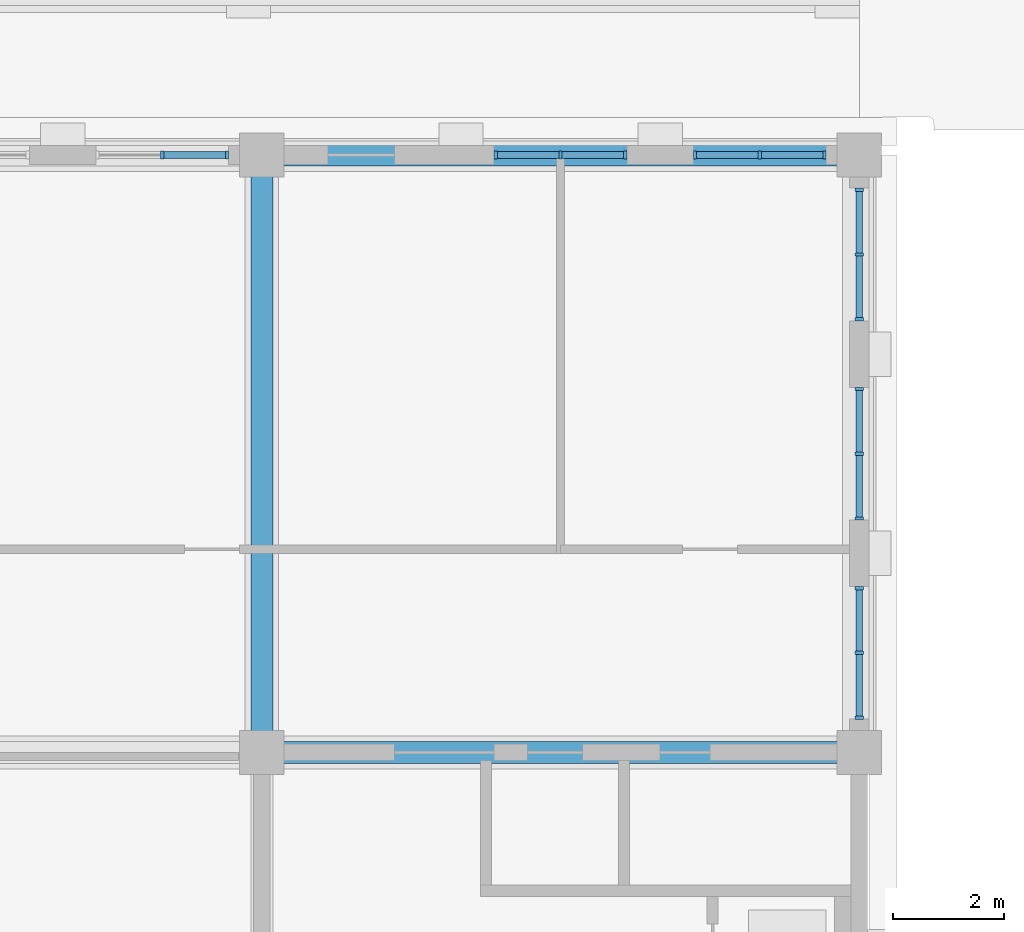
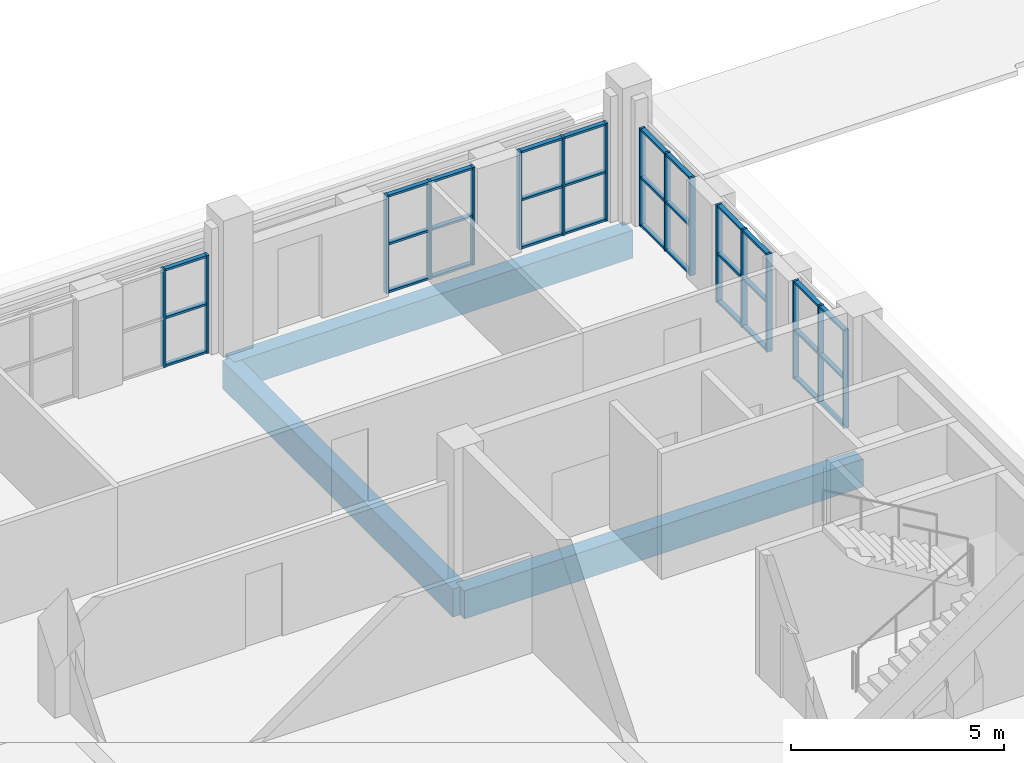
# One storey, part 33 of 95: 50 members, 3 beams, 6 elements without a shape of their own.
"""IFC4 building model written with IfcOpenShell, lengths in metres."""

from ifc_helpers import new_model, si_unit, direction, frame, origin, origin_2d, place, context, subcontext, project, spatial, rectangle, extrude, material, layer, layer_set, material_profile, profile_set, type_object, element, aggregate, save


model = new_model("IFC4")

# Units and contexts
model_context = context("Model", 3, precision=1e-05, world=origin(), true_north=direction((0.0, 1.0)))
body_context = subcontext(model_context, "Body", "Model", "MODEL_VIEW")
ifc_project = project(units=[si_unit("LENGTHUNIT", "METRE"), si_unit("AREAUNIT", "SQUARE_METRE"), si_unit("VOLUMEUNIT", "CUBIC_METRE"), si_unit("PLANEANGLEUNIT", "RADIAN"), si_unit("MASSUNIT", "GRAM", prefix="KILO")], contexts=[model_context])

# Site, building, storey
site_placement = place(None, origin())
site = spatial("IfcSite", under=ifc_project, at=site_placement, CompositionType="ELEMENT")
building_placement = place(site_placement, origin())
building = spatial("IfcBuilding", under=site, at=building_placement, Name="Magnolia Steps Interchange", CompositionType="ELEMENT")
storey_placement = place(building_placement, frame((0.0, 0.0, 4.800048828125)))
storey = spatial("IfcBuildingStorey", under=building, at=storey_placement, Name="L01", CompositionType="ELEMENT", Elevation=4.800048828125)

# Curtain wall, members
ifc_material_1 = material(Name="Powder-coated aluminium and glass", Category="aluminium")
ifc_layer = layer(ifc_material_1, 0.179931640625)
ifc_layer_set = layer_set([ifc_layer], Name="Lobby shopfront curtain wall")
curtain_wall_type = type_object("IfcCurtainWallType", Name="Lobby shopfront curtain wall", PredefinedType="NOTDEFINED", material=ifc_layer_set)
curtain_wall_1_placement = place(storey_placement, origin())
curtain_wall_1 = element("IfcCurtainWall", 1, at=curtain_wall_1_placement, inside=storey, type_object=curtain_wall_type, Name="Operations lobby north glazing 22", PredefinedType="NOTDEFINED")
ifc_material_2 = material(Name="White powder-coated aluminium", Category="aluminium")
ifc_material_profile_1 = material_profile(ifc_material_2, rectangle(XDim=0.06005859375, YDim=0.14990234375, at=origin_2d()), Name="Aluminium mullion 60 x 150")
ifc_profile_set_1 = profile_set([ifc_material_profile_1], Name="White powder-coated aluminium")
member_type_1 = type_object("IfcMemberType", Name="Aluminium mullion 60 x 150", PredefinedType="MULLION", material=ifc_profile_set_1)
member_1_placement = place(storey_placement, frame((105.39990234375, 118.0, 0.0), z_axis=(0.0, 0.0, 1.0), x_axis=(1.0, 0.0, 0.0)))
member_1 = element("IfcMember", 2, at=member_1_placement, type_object=member_type_1, Name="CW5 mullion 2", PredefinedType="MULLION", context=body_context, shape_type="SweptSolid", body=[
    extrude(rectangle(XDim=0.06005859375, YDim=0.14990234375, at=origin_2d()), origin(), (0.0, 0.0, 1.0), 2.800048828125),
])
member_2_placement = place(storey_placement, frame((106.570068359375, 118.0, 0.0), z_axis=(0.0, 0.0, 1.0), x_axis=(1.0, 0.0, 0.0)))
member_2 = element("IfcMember", 3, at=member_2_placement, type_object=member_type_1, Name="CW5 mullion 3", PredefinedType="MULLION", context=body_context, shape_type="SweptSolid", body=[
    extrude(rectangle(XDim=0.06005859375, YDim=0.14990234375, at=origin_2d()), origin(), (0.0, 0.0, 1.0), 2.800048828125),
])

curtain_wall_2_placement = place(storey_placement, origin())
curtain_wall_2 = element("IfcCurtainWall", 4, at=curtain_wall_2_placement, inside=storey, type_object=curtain_wall_type, Name="Operations lobby north glazing 24", PredefinedType="NOTDEFINED")
member_3_placement = place(storey_placement, frame((111.429931640625, 118.0, 0.0), z_axis=(0.0, 0.0, 1.0), x_axis=(1.0, 0.0, 0.0)))
member_3 = element("IfcMember", 5, at=member_3_placement, type_object=member_type_1, Name="CW5 mullion 1", PredefinedType="MULLION", context=body_context, shape_type="SweptSolid", body=[
    extrude(rectangle(XDim=0.06005859375, YDim=0.14990234375, at=origin_2d()), origin(), (0.0, 0.0, 1.0), 2.800048828125),
])
member_4_placement = place(storey_placement, frame((112.60009765625, 118.0, 0.0), z_axis=(0.0, 0.0, 1.0), x_axis=(1.0, 0.0, 0.0)))
member_4 = element("IfcMember", 6, at=member_4_placement, type_object=member_type_1, Name="CW5 mullion 2", PredefinedType="MULLION", context=body_context, shape_type="SweptSolid", body=[
    extrude(rectangle(XDim=0.06005859375, YDim=0.14990234375, at=origin_2d()), origin(), (0.0, 0.0, 1.0), 2.800048828125),
])
member_5_placement = place(storey_placement, frame((113.77001953125, 118.0, 0.0), z_axis=(0.0, 0.0, 1.0), x_axis=(1.0, 0.0, 0.0)))
member_5 = element("IfcMember", 7, at=member_5_placement, type_object=member_type_1, Name="CW5 mullion 3", PredefinedType="MULLION", context=body_context, shape_type="SweptSolid", body=[
    extrude(rectangle(XDim=0.06005859375, YDim=0.14990234375, at=origin_2d()), origin(), (0.0, 0.0, 1.0), 2.800048828125),
])

curtain_wall_3_placement = place(storey_placement, origin())
curtain_wall_3 = element("IfcCurtainWall", 8, at=curtain_wall_3_placement, inside=storey, type_object=curtain_wall_type, Name="Operations lobby north glazing 26", PredefinedType="NOTDEFINED")
member_6_placement = place(storey_placement, frame((115.030029296875, 118.0, 0.0), z_axis=(0.0, 0.0, 1.0), x_axis=(1.0, 0.0, 0.0)))
member_6 = element("IfcMember", 9, at=member_6_placement, type_object=member_type_1, Name="CW5 mullion 1", PredefinedType="MULLION", context=body_context, shape_type="SweptSolid", body=[
    extrude(rectangle(XDim=0.06005859375, YDim=0.14990234375, at=origin_2d()), origin(), (0.0, 0.0, 1.0), 2.800048828125),
])
member_7_placement = place(storey_placement, frame((116.199951171875, 118.0, 0.0), z_axis=(0.0, 0.0, 1.0), x_axis=(1.0, 0.0, 0.0)))
member_7 = element("IfcMember", 10, at=member_7_placement, type_object=member_type_1, Name="CW5 mullion 2", PredefinedType="MULLION", context=body_context, shape_type="SweptSolid", body=[
    extrude(rectangle(XDim=0.06005859375, YDim=0.14990234375, at=origin_2d()), origin(), (0.0, 0.0, 1.0), 2.800048828125),
])
member_8_placement = place(storey_placement, frame((117.3701171875, 118.0, 0.0), z_axis=(0.0, 0.0, 1.0), x_axis=(1.0, 0.0, 0.0)))
member_8 = element("IfcMember", 11, at=member_8_placement, type_object=member_type_1, Name="CW5 mullion 3", PredefinedType="MULLION", context=body_context, shape_type="SweptSolid", body=[
    extrude(rectangle(XDim=0.06005859375, YDim=0.14990234375, at=origin_2d()), origin(), (0.0, 0.0, 1.0), 2.800048828125),
])

curtain_wall_4_placement = place(storey_placement, origin())
curtain_wall_4 = element("IfcCurtainWall", 12, at=curtain_wall_4_placement, inside=storey, type_object=curtain_wall_type, Name="Operations lobby east glazing 2", PredefinedType="NOTDEFINED")
member_9_placement = place(storey_placement, frame((118.0, 107.830078125, 0.0), z_axis=(0.0, 0.0, 1.0), x_axis=(0.0, 1.0, 0.0)))
member_9 = element("IfcMember", 13, at=member_9_placement, type_object=member_type_1, Name="CW5 mullion 1", PredefinedType="MULLION", context=body_context, shape_type="SweptSolid", body=[
    extrude(rectangle(XDim=0.06005859375, YDim=0.14990234375, at=origin_2d()), origin(), (0.0, 0.0, 1.0), 2.800048828125),
])
member_10_placement = place(storey_placement, frame((118.0, 109.0, 0.0), z_axis=(0.0, 0.0, 1.0), x_axis=(0.0, 1.0, 0.0)))
member_10 = element("IfcMember", 14, at=member_10_placement, type_object=member_type_1, Name="CW5 mullion 2", PredefinedType="MULLION", context=body_context, shape_type="SweptSolid", body=[
    extrude(rectangle(XDim=0.06005859375, YDim=0.14990234375, at=origin_2d()), origin(), (0.0, 0.0, 1.0), 2.800048828125),
])
member_11_placement = place(storey_placement, frame((118.0, 110.169921875, 0.0), z_axis=(0.0, 0.0, 1.0), x_axis=(0.0, 1.0, 0.0)))
member_11 = element("IfcMember", 15, at=member_11_placement, type_object=member_type_1, Name="CW5 mullion 3", PredefinedType="MULLION", context=body_context, shape_type="SweptSolid", body=[
    extrude(rectangle(XDim=0.06005859375, YDim=0.14990234375, at=origin_2d()), origin(), (0.0, 0.0, 1.0), 2.800048828125),
])

curtain_wall_5_placement = place(storey_placement, origin())
curtain_wall_5 = element("IfcCurtainWall", 16, at=curtain_wall_5_placement, inside=storey, type_object=curtain_wall_type, Name="Operations lobby east glazing 4", PredefinedType="NOTDEFINED")
member_12_placement = place(storey_placement, frame((118.0, 111.429931640625, 0.0), z_axis=(0.0, 0.0, 1.0), x_axis=(0.0, 1.0, 0.0)))
member_12 = element("IfcMember", 17, at=member_12_placement, type_object=member_type_1, Name="CW5 mullion 1", PredefinedType="MULLION", context=body_context, shape_type="SweptSolid", body=[
    extrude(rectangle(XDim=0.06005859375, YDim=0.14990234375, at=origin_2d()), origin(), (0.0, 0.0, 1.0), 2.800048828125),
])
member_13_placement = place(storey_placement, frame((118.0, 112.60009765625, 0.0), z_axis=(0.0, 0.0, 1.0), x_axis=(0.0, 1.0, 0.0)))
member_13 = element("IfcMember", 18, at=member_13_placement, type_object=member_type_1, Name="CW5 mullion 2", PredefinedType="MULLION", context=body_context, shape_type="SweptSolid", body=[
    extrude(rectangle(XDim=0.06005859375, YDim=0.14990234375, at=origin_2d()), origin(), (0.0, 0.0, 1.0), 2.800048828125),
])
member_14_placement = place(storey_placement, frame((118.0, 113.77001953125, 0.0), z_axis=(0.0, 0.0, 1.0), x_axis=(0.0, 1.0, 0.0)))
member_14 = element("IfcMember", 19, at=member_14_placement, type_object=member_type_1, Name="CW5 mullion 3", PredefinedType="MULLION", context=body_context, shape_type="SweptSolid", body=[
    extrude(rectangle(XDim=0.06005859375, YDim=0.14990234375, at=origin_2d()), origin(), (0.0, 0.0, 1.0), 2.800048828125),
])

curtain_wall_6_placement = place(storey_placement, origin())
curtain_wall_6 = element("IfcCurtainWall", 20, at=curtain_wall_6_placement, inside=storey, type_object=curtain_wall_type, Name="Operations lobby east glazing 6", PredefinedType="NOTDEFINED")
member_15_placement = place(storey_placement, frame((118.0, 115.030029296875, 0.0), z_axis=(0.0, 0.0, 1.0), x_axis=(0.0, 1.0, 0.0)))
member_15 = element("IfcMember", 21, at=member_15_placement, type_object=member_type_1, Name="CW5 mullion 1", PredefinedType="MULLION", context=body_context, shape_type="SweptSolid", body=[
    extrude(rectangle(XDim=0.06005859375, YDim=0.14990234375, at=origin_2d()), origin(), (0.0, 0.0, 1.0), 2.800048828125),
])
member_16_placement = place(storey_placement, frame((118.0, 116.199951171875, 0.0), z_axis=(0.0, 0.0, 1.0), x_axis=(0.0, 1.0, 0.0)))
member_16 = element("IfcMember", 22, at=member_16_placement, type_object=member_type_1, Name="CW5 mullion 2", PredefinedType="MULLION", context=body_context, shape_type="SweptSolid", body=[
    extrude(rectangle(XDim=0.06005859375, YDim=0.14990234375, at=origin_2d()), origin(), (0.0, 0.0, 1.0), 2.800048828125),
])
member_17_placement = place(storey_placement, frame((118.0, 117.3701171875, 0.0), z_axis=(0.0, 0.0, 1.0), x_axis=(0.0, 1.0, 0.0)))
member_17 = element("IfcMember", 23, at=member_17_placement, type_object=member_type_1, Name="CW5 mullion 3", PredefinedType="MULLION", context=body_context, shape_type="SweptSolid", body=[
    extrude(rectangle(XDim=0.06005859375, YDim=0.14990234375, at=origin_2d()), origin(), (0.0, 0.0, 1.0), 2.800048828125),
])

# Member
ifc_material_3 = material(Name="White powder-coated aluminium", Category="aluminium")
ifc_material_profile_2 = material_profile(ifc_material_3, rectangle(XDim=0.06005859375, YDim=0.1201171875, at=origin_2d()), Name="Aluminium transom 60 x 120")
ifc_profile_set_2 = profile_set([ifc_material_profile_2], Name="White powder-coated aluminium")
member_type_2 = type_object("IfcMemberType", Name="Aluminium transom 60 x 120", PredefinedType="USERDEFINED", material=ifc_profile_set_2)
member_18_placement = place(storey_placement, frame((105.429931640625, 118.0, 0.030029296875), z_axis=(1.0, 0.0, 0.0), x_axis=(0.0, 0.0, 1.0)))
member_18 = element("IfcMember", 24, at=member_18_placement, type_object=member_type_2, Name="CW5 transom 2.1", ObjectType="TRANSOM", PredefinedType="USERDEFINED", context=body_context, shape_type="SweptSolid", body=[
    extrude(rectangle(XDim=0.06005859375, YDim=0.1201171875, at=origin_2d()), origin(), (0.0, 0.0, 1.0), 1.110107421875),
])

member_19_placement = place(storey_placement, frame((105.429931640625, 118.0, 1.39990234375), z_axis=(1.0, 0.0, 0.0), x_axis=(0.0, 0.0, 1.0)))
member_19 = element("IfcMember", 25, at=member_19_placement, type_object=member_type_2, Name="CW5 transom 2.2", ObjectType="TRANSOM", PredefinedType="USERDEFINED", context=body_context, shape_type="SweptSolid", body=[
    extrude(rectangle(XDim=0.06005859375, YDim=0.1201171875, at=origin_2d()), origin(), (0.0, 0.0, 1.0), 1.110107421875),
])

member_20_placement = place(storey_placement, frame((105.429931640625, 118.0, 2.77001953125), z_axis=(1.0, 0.0, 0.0), x_axis=(0.0, 0.0, 1.0)))
member_20 = element("IfcMember", 26, at=member_20_placement, type_object=member_type_2, Name="CW5 transom 2.3", ObjectType="TRANSOM", PredefinedType="USERDEFINED", context=body_context, shape_type="SweptSolid", body=[
    extrude(rectangle(XDim=0.06005859375, YDim=0.1201171875, at=origin_2d()), origin(), (0.0, 0.0, 1.0), 1.110107421875),
])

aggregate(curtain_wall_1, [member_1, member_2, member_18, member_19, member_20])

member_21_placement = place(storey_placement, frame((111.4599609375, 118.0, 0.030029296875), z_axis=(1.0, 0.0, 0.0), x_axis=(0.0, 0.0, 1.0)))
member_21 = element("IfcMember", 27, at=member_21_placement, type_object=member_type_2, Name="CW5 transom 1.1", ObjectType="TRANSOM", PredefinedType="USERDEFINED", context=body_context, shape_type="SweptSolid", body=[
    extrude(rectangle(XDim=0.06005859375, YDim=0.1201171875, at=origin_2d()), origin(), (0.0, 0.0, 1.0), 1.110107421875),
])

member_22_placement = place(storey_placement, frame((111.4599609375, 118.0, 1.39990234375), z_axis=(1.0, 0.0, 0.0), x_axis=(0.0, 0.0, 1.0)))
member_22 = element("IfcMember", 28, at=member_22_placement, type_object=member_type_2, Name="CW5 transom 1.2", ObjectType="TRANSOM", PredefinedType="USERDEFINED", context=body_context, shape_type="SweptSolid", body=[
    extrude(rectangle(XDim=0.06005859375, YDim=0.1201171875, at=origin_2d()), origin(), (0.0, 0.0, 1.0), 1.110107421875),
])

member_23_placement = place(storey_placement, frame((111.4599609375, 118.0, 2.77001953125), z_axis=(1.0, 0.0, 0.0), x_axis=(0.0, 0.0, 1.0)))
member_23 = element("IfcMember", 29, at=member_23_placement, type_object=member_type_2, Name="CW5 transom 1.3", ObjectType="TRANSOM", PredefinedType="USERDEFINED", context=body_context, shape_type="SweptSolid", body=[
    extrude(rectangle(XDim=0.06005859375, YDim=0.1201171875, at=origin_2d()), origin(), (0.0, 0.0, 1.0), 1.110107421875),
])

member_24_placement = place(storey_placement, frame((112.6298828125, 118.0, 0.030029296875), z_axis=(1.0, 0.0, 0.0), x_axis=(0.0, 0.0, 1.0)))
member_24 = element("IfcMember", 30, at=member_24_placement, type_object=member_type_2, Name="CW5 transom 2.1", ObjectType="TRANSOM", PredefinedType="USERDEFINED", context=body_context, shape_type="SweptSolid", body=[
    extrude(rectangle(XDim=0.06005859375, YDim=0.1201171875, at=origin_2d()), origin(), (0.0, 0.0, 1.0), 1.110107421875),
])

member_25_placement = place(storey_placement, frame((112.6298828125, 118.0, 1.39990234375), z_axis=(1.0, 0.0, 0.0), x_axis=(0.0, 0.0, 1.0)))
member_25 = element("IfcMember", 31, at=member_25_placement, type_object=member_type_2, Name="CW5 transom 2.2", ObjectType="TRANSOM", PredefinedType="USERDEFINED", context=body_context, shape_type="SweptSolid", body=[
    extrude(rectangle(XDim=0.06005859375, YDim=0.1201171875, at=origin_2d()), origin(), (0.0, 0.0, 1.0), 1.110107421875),
])

member_26_placement = place(storey_placement, frame((112.6298828125, 118.0, 2.77001953125), z_axis=(1.0, 0.0, 0.0), x_axis=(0.0, 0.0, 1.0)))
member_26 = element("IfcMember", 32, at=member_26_placement, type_object=member_type_2, Name="CW5 transom 2.3", ObjectType="TRANSOM", PredefinedType="USERDEFINED", context=body_context, shape_type="SweptSolid", body=[
    extrude(rectangle(XDim=0.06005859375, YDim=0.1201171875, at=origin_2d()), origin(), (0.0, 0.0, 1.0), 1.110107421875),
])

aggregate(curtain_wall_2, [member_3, member_4, member_5, member_21, member_22, member_23, member_24, member_25, member_26])

member_27_placement = place(storey_placement, frame((115.06005859375, 118.0, 0.030029296875), z_axis=(1.0, 0.0, 0.0), x_axis=(0.0, 0.0, 1.0)))
member_27 = element("IfcMember", 33, at=member_27_placement, type_object=member_type_2, Name="CW5 transom 1.1", ObjectType="TRANSOM", PredefinedType="USERDEFINED", context=body_context, shape_type="SweptSolid", body=[
    extrude(rectangle(XDim=0.06005859375, YDim=0.1201171875, at=origin_2d()), origin(), (0.0, 0.0, 1.0), 1.10986328125),
])

member_28_placement = place(storey_placement, frame((115.06005859375, 118.0, 1.39990234375), z_axis=(1.0, 0.0, 0.0), x_axis=(0.0, 0.0, 1.0)))
member_28 = element("IfcMember", 34, at=member_28_placement, type_object=member_type_2, Name="CW5 transom 1.2", ObjectType="TRANSOM", PredefinedType="USERDEFINED", context=body_context, shape_type="SweptSolid", body=[
    extrude(rectangle(XDim=0.06005859375, YDim=0.1201171875, at=origin_2d()), origin(), (0.0, 0.0, 1.0), 1.10986328125),
])

member_29_placement = place(storey_placement, frame((115.06005859375, 118.0, 2.77001953125), z_axis=(1.0, 0.0, 0.0), x_axis=(0.0, 0.0, 1.0)))
member_29 = element("IfcMember", 35, at=member_29_placement, type_object=member_type_2, Name="CW5 transom 1.3", ObjectType="TRANSOM", PredefinedType="USERDEFINED", context=body_context, shape_type="SweptSolid", body=[
    extrude(rectangle(XDim=0.06005859375, YDim=0.1201171875, at=origin_2d()), origin(), (0.0, 0.0, 1.0), 1.10986328125),
])

member_30_placement = place(storey_placement, frame((116.22998046875, 118.0, 0.030029296875), z_axis=(1.0, 0.0, 0.0), x_axis=(0.0, 0.0, 1.0)))
member_30 = element("IfcMember", 36, at=member_30_placement, type_object=member_type_2, Name="CW5 transom 2.1", ObjectType="TRANSOM", PredefinedType="USERDEFINED", context=body_context, shape_type="SweptSolid", body=[
    extrude(rectangle(XDim=0.06005859375, YDim=0.1201171875, at=origin_2d()), origin(), (0.0, 0.0, 1.0), 1.110107421875),
])

member_31_placement = place(storey_placement, frame((116.22998046875, 118.0, 1.39990234375), z_axis=(1.0, 0.0, 0.0), x_axis=(0.0, 0.0, 1.0)))
member_31 = element("IfcMember", 37, at=member_31_placement, type_object=member_type_2, Name="CW5 transom 2.2", ObjectType="TRANSOM", PredefinedType="USERDEFINED", context=body_context, shape_type="SweptSolid", body=[
    extrude(rectangle(XDim=0.06005859375, YDim=0.1201171875, at=origin_2d()), origin(), (0.0, 0.0, 1.0), 1.110107421875),
])

member_32_placement = place(storey_placement, frame((116.22998046875, 118.0, 2.77001953125), z_axis=(1.0, 0.0, 0.0), x_axis=(0.0, 0.0, 1.0)))
member_32 = element("IfcMember", 38, at=member_32_placement, type_object=member_type_2, Name="CW5 transom 2.3", ObjectType="TRANSOM", PredefinedType="USERDEFINED", context=body_context, shape_type="SweptSolid", body=[
    extrude(rectangle(XDim=0.06005859375, YDim=0.1201171875, at=origin_2d()), origin(), (0.0, 0.0, 1.0), 1.110107421875),
])

aggregate(curtain_wall_3, [member_6, member_7, member_8, member_27, member_28, member_29, member_30, member_31, member_32])

member_33_placement = place(storey_placement, frame((118.0, 107.860107421875, 0.030029296875), z_axis=(0.0, 1.0, 0.0), x_axis=(0.0, 0.0, 1.0)))
member_33 = element("IfcMember", 39, at=member_33_placement, type_object=member_type_2, Name="CW5 transom 1.1", ObjectType="TRANSOM", PredefinedType="USERDEFINED", context=body_context, shape_type="SweptSolid", body=[
    extrude(rectangle(XDim=0.06005859375, YDim=0.1201171875, at=origin_2d()), origin(), (0.0, 0.0, 1.0), 1.10986328125),
])

member_34_placement = place(storey_placement, frame((118.0, 107.860107421875, 1.39990234375), z_axis=(0.0, 1.0, 0.0), x_axis=(0.0, 0.0, 1.0)))
member_34 = element("IfcMember", 40, at=member_34_placement, type_object=member_type_2, Name="CW5 transom 1.2", ObjectType="TRANSOM", PredefinedType="USERDEFINED", context=body_context, shape_type="SweptSolid", body=[
    extrude(rectangle(XDim=0.06005859375, YDim=0.1201171875, at=origin_2d()), origin(), (0.0, 0.0, 1.0), 1.10986328125),
])

member_35_placement = place(storey_placement, frame((118.0, 107.860107421875, 2.77001953125), z_axis=(0.0, 1.0, 0.0), x_axis=(0.0, 0.0, 1.0)))
member_35 = element("IfcMember", 41, at=member_35_placement, type_object=member_type_2, Name="CW5 transom 1.3", ObjectType="TRANSOM", PredefinedType="USERDEFINED", context=body_context, shape_type="SweptSolid", body=[
    extrude(rectangle(XDim=0.06005859375, YDim=0.1201171875, at=origin_2d()), origin(), (0.0, 0.0, 1.0), 1.10986328125),
])

member_36_placement = place(storey_placement, frame((118.0, 109.030029296875, 0.030029296875), z_axis=(0.0, 1.0, 0.0), x_axis=(0.0, 0.0, 1.0)))
member_36 = element("IfcMember", 42, at=member_36_placement, type_object=member_type_2, Name="CW5 transom 2.1", ObjectType="TRANSOM", PredefinedType="USERDEFINED", context=body_context, shape_type="SweptSolid", body=[
    extrude(rectangle(XDim=0.06005859375, YDim=0.1201171875, at=origin_2d()), origin(), (0.0, 0.0, 1.0), 1.10986328125),
])

member_37_placement = place(storey_placement, frame((118.0, 109.030029296875, 1.39990234375), z_axis=(0.0, 1.0, 0.0), x_axis=(0.0, 0.0, 1.0)))
member_37 = element("IfcMember", 43, at=member_37_placement, type_object=member_type_2, Name="CW5 transom 2.2", ObjectType="TRANSOM", PredefinedType="USERDEFINED", context=body_context, shape_type="SweptSolid", body=[
    extrude(rectangle(XDim=0.06005859375, YDim=0.1201171875, at=origin_2d()), origin(), (0.0, 0.0, 1.0), 1.10986328125),
])

member_38_placement = place(storey_placement, frame((118.0, 109.030029296875, 2.77001953125), z_axis=(0.0, 1.0, 0.0), x_axis=(0.0, 0.0, 1.0)))
member_38 = element("IfcMember", 44, at=member_38_placement, type_object=member_type_2, Name="CW5 transom 2.3", ObjectType="TRANSOM", PredefinedType="USERDEFINED", context=body_context, shape_type="SweptSolid", body=[
    extrude(rectangle(XDim=0.06005859375, YDim=0.1201171875, at=origin_2d()), origin(), (0.0, 0.0, 1.0), 1.10986328125),
])

aggregate(curtain_wall_4, [member_9, member_10, member_11, member_33, member_34, member_35, member_36, member_37, member_38])

member_39_placement = place(storey_placement, frame((118.0, 111.4599609375, 0.030029296875), z_axis=(0.0, 1.0, 0.0), x_axis=(0.0, 0.0, 1.0)))
member_39 = element("IfcMember", 45, at=member_39_placement, type_object=member_type_2, Name="CW5 transom 1.1", ObjectType="TRANSOM", PredefinedType="USERDEFINED", context=body_context, shape_type="SweptSolid", body=[
    extrude(rectangle(XDim=0.06005859375, YDim=0.1201171875, at=origin_2d()), origin(), (0.0, 0.0, 1.0), 1.110107421875),
])

member_40_placement = place(storey_placement, frame((118.0, 111.4599609375, 1.39990234375), z_axis=(0.0, 1.0, 0.0), x_axis=(0.0, 0.0, 1.0)))
member_40 = element("IfcMember", 46, at=member_40_placement, type_object=member_type_2, Name="CW5 transom 1.2", ObjectType="TRANSOM", PredefinedType="USERDEFINED", context=body_context, shape_type="SweptSolid", body=[
    extrude(rectangle(XDim=0.06005859375, YDim=0.1201171875, at=origin_2d()), origin(), (0.0, 0.0, 1.0), 1.110107421875),
])

member_41_placement = place(storey_placement, frame((118.0, 111.4599609375, 2.77001953125), z_axis=(0.0, 1.0, 0.0), x_axis=(0.0, 0.0, 1.0)))
member_41 = element("IfcMember", 47, at=member_41_placement, type_object=member_type_2, Name="CW5 transom 1.3", ObjectType="TRANSOM", PredefinedType="USERDEFINED", context=body_context, shape_type="SweptSolid", body=[
    extrude(rectangle(XDim=0.06005859375, YDim=0.1201171875, at=origin_2d()), origin(), (0.0, 0.0, 1.0), 1.110107421875),
])

member_42_placement = place(storey_placement, frame((118.0, 112.6298828125, 0.030029296875), z_axis=(0.0, 1.0, 0.0), x_axis=(0.0, 0.0, 1.0)))
member_42 = element("IfcMember", 48, at=member_42_placement, type_object=member_type_2, Name="CW5 transom 2.1", ObjectType="TRANSOM", PredefinedType="USERDEFINED", context=body_context, shape_type="SweptSolid", body=[
    extrude(rectangle(XDim=0.06005859375, YDim=0.1201171875, at=origin_2d()), origin(), (0.0, 0.0, 1.0), 1.110107421875),
])

member_43_placement = place(storey_placement, frame((118.0, 112.6298828125, 1.39990234375), z_axis=(0.0, 1.0, 0.0), x_axis=(0.0, 0.0, 1.0)))
member_43 = element("IfcMember", 49, at=member_43_placement, type_object=member_type_2, Name="CW5 transom 2.2", ObjectType="TRANSOM", PredefinedType="USERDEFINED", context=body_context, shape_type="SweptSolid", body=[
    extrude(rectangle(XDim=0.06005859375, YDim=0.1201171875, at=origin_2d()), origin(), (0.0, 0.0, 1.0), 1.110107421875),
])

member_44_placement = place(storey_placement, frame((118.0, 112.6298828125, 2.77001953125), z_axis=(0.0, 1.0, 0.0), x_axis=(0.0, 0.0, 1.0)))
member_44 = element("IfcMember", 50, at=member_44_placement, type_object=member_type_2, Name="CW5 transom 2.3", ObjectType="TRANSOM", PredefinedType="USERDEFINED", context=body_context, shape_type="SweptSolid", body=[
    extrude(rectangle(XDim=0.06005859375, YDim=0.1201171875, at=origin_2d()), origin(), (0.0, 0.0, 1.0), 1.110107421875),
])

aggregate(curtain_wall_5, [member_12, member_13, member_14, member_39, member_40, member_41, member_42, member_43, member_44])

member_45_placement = place(storey_placement, frame((118.0, 115.06005859375, 0.030029296875), z_axis=(0.0, 1.0, 0.0), x_axis=(0.0, 0.0, 1.0)))
member_45 = element("IfcMember", 51, at=member_45_placement, type_object=member_type_2, Name="CW5 transom 1.1", ObjectType="TRANSOM", PredefinedType="USERDEFINED", context=body_context, shape_type="SweptSolid", body=[
    extrude(rectangle(XDim=0.06005859375, YDim=0.1201171875, at=origin_2d()), origin(), (0.0, 0.0, 1.0), 1.10986328125),
])

member_46_placement = place(storey_placement, frame((118.0, 115.06005859375, 1.39990234375), z_axis=(0.0, 1.0, 0.0), x_axis=(0.0, 0.0, 1.0)))
member_46 = element("IfcMember", 52, at=member_46_placement, type_object=member_type_2, Name="CW5 transom 1.2", ObjectType="TRANSOM", PredefinedType="USERDEFINED", context=body_context, shape_type="SweptSolid", body=[
    extrude(rectangle(XDim=0.06005859375, YDim=0.1201171875, at=origin_2d()), origin(), (0.0, 0.0, 1.0), 1.10986328125),
])

member_47_placement = place(storey_placement, frame((118.0, 115.06005859375, 2.77001953125), z_axis=(0.0, 1.0, 0.0), x_axis=(0.0, 0.0, 1.0)))
member_47 = element("IfcMember", 53, at=member_47_placement, type_object=member_type_2, Name="CW5 transom 1.3", ObjectType="TRANSOM", PredefinedType="USERDEFINED", context=body_context, shape_type="SweptSolid", body=[
    extrude(rectangle(XDim=0.06005859375, YDim=0.1201171875, at=origin_2d()), origin(), (0.0, 0.0, 1.0), 1.10986328125),
])

member_48_placement = place(storey_placement, frame((118.0, 116.22998046875, 0.030029296875), z_axis=(0.0, 1.0, 0.0), x_axis=(0.0, 0.0, 1.0)))
member_48 = element("IfcMember", 54, at=member_48_placement, type_object=member_type_2, Name="CW5 transom 2.1", ObjectType="TRANSOM", PredefinedType="USERDEFINED", context=body_context, shape_type="SweptSolid", body=[
    extrude(rectangle(XDim=0.06005859375, YDim=0.1201171875, at=origin_2d()), origin(), (0.0, 0.0, 1.0), 1.110107421875),
])

member_49_placement = place(storey_placement, frame((118.0, 116.22998046875, 1.39990234375), z_axis=(0.0, 1.0, 0.0), x_axis=(0.0, 0.0, 1.0)))
member_49 = element("IfcMember", 55, at=member_49_placement, type_object=member_type_2, Name="CW5 transom 2.2", ObjectType="TRANSOM", PredefinedType="USERDEFINED", context=body_context, shape_type="SweptSolid", body=[
    extrude(rectangle(XDim=0.06005859375, YDim=0.1201171875, at=origin_2d()), origin(), (0.0, 0.0, 1.0), 1.110107421875),
])

member_50_placement = place(storey_placement, frame((118.0, 116.22998046875, 2.77001953125), z_axis=(0.0, 1.0, 0.0), x_axis=(0.0, 0.0, 1.0)))
member_50 = element("IfcMember", 56, at=member_50_placement, type_object=member_type_2, Name="CW5 transom 2.3", ObjectType="TRANSOM", PredefinedType="USERDEFINED", context=body_context, shape_type="SweptSolid", body=[
    extrude(rectangle(XDim=0.06005859375, YDim=0.1201171875, at=origin_2d()), origin(), (0.0, 0.0, 1.0), 1.110107421875),
])

aggregate(curtain_wall_6, [member_15, member_16, member_17, member_45, member_46, member_47, member_48, member_49, member_50])

# Beams
ifc_material_4 = material(Name="Concrete C40", Category="concrete")
ifc_material_profile_3 = material_profile(ifc_material_4, rectangle(XDim=0.39990234375, YDim=0.800048828125, at=origin_2d()), Name="RC400x800")
ifc_profile_set_3 = profile_set([ifc_material_profile_3], Name="Concrete C40")
beam_type = type_object("IfcBeamType", Name="RC beam 400x800", PredefinedType="BEAM", material=ifc_profile_set_3)
for number, where, z_axis, x_axis, name in (
    (57, (107.199951171875, 107.199951171875, -0.800048828125), (1.0, 0.0, 0.0), (0.0, 1.0, 0.0), "Beam L01 J 10-11"),
    (58, (107.199951171875, 118.0, -0.800048828125), (1.0, 0.0, 0.0), (0.0, 1.0, 0.0), "Beam L01 K 10-11"),
    (59, (107.199951171875, 107.199951171875, -0.800048828125), (0.0, 1.0, 0.0), (-1.0, 0.0, 0.0), "Beam L01 10 J-K"),
):
    element("IfcBeam", number, at=place(storey_placement, frame(where, z_axis=z_axis, x_axis=x_axis)), inside=storey, type_object=beam_type, Name=name, PredefinedType="BEAM", context=body_context, shape_type="SweptSolid", body=[
        extrude(rectangle(XDim=0.39990234375, YDim=0.800048828125, at=origin_2d()), origin(), (0.0, 0.0, 1.0), 10.800048828125),
    ])

save(model, "model.ifc")
